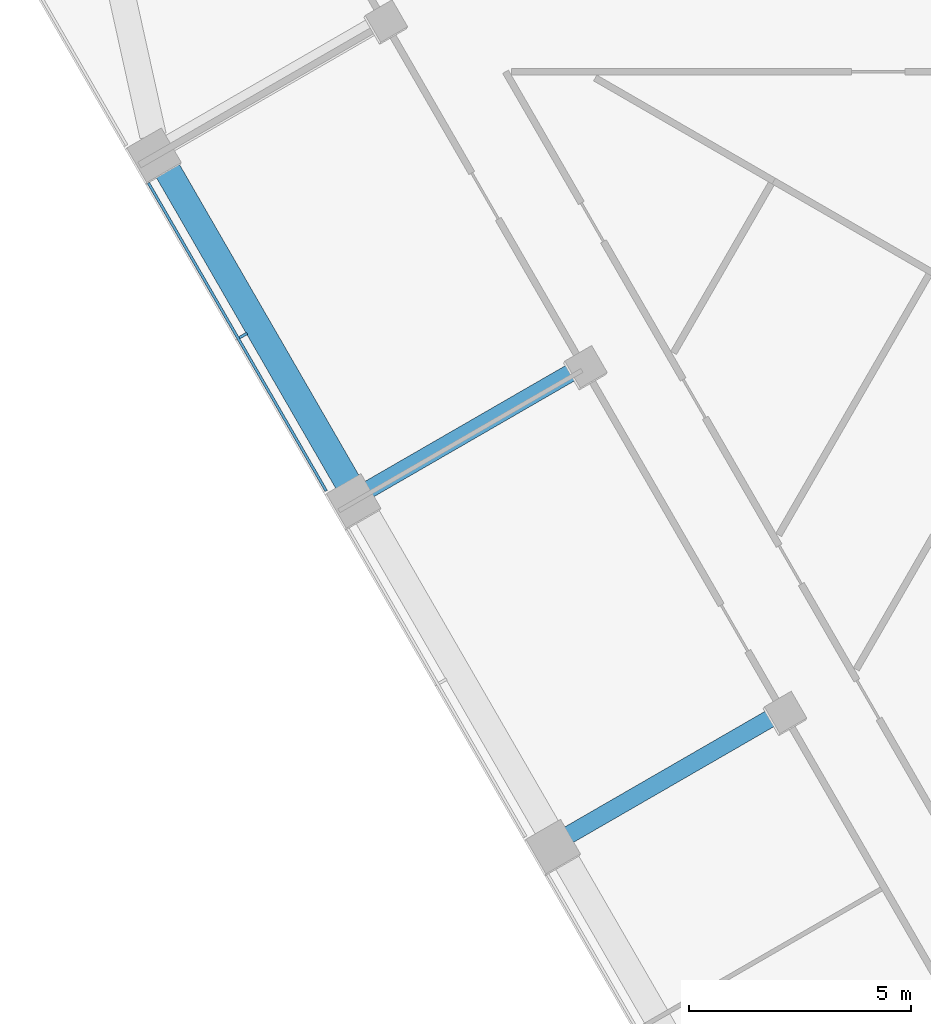
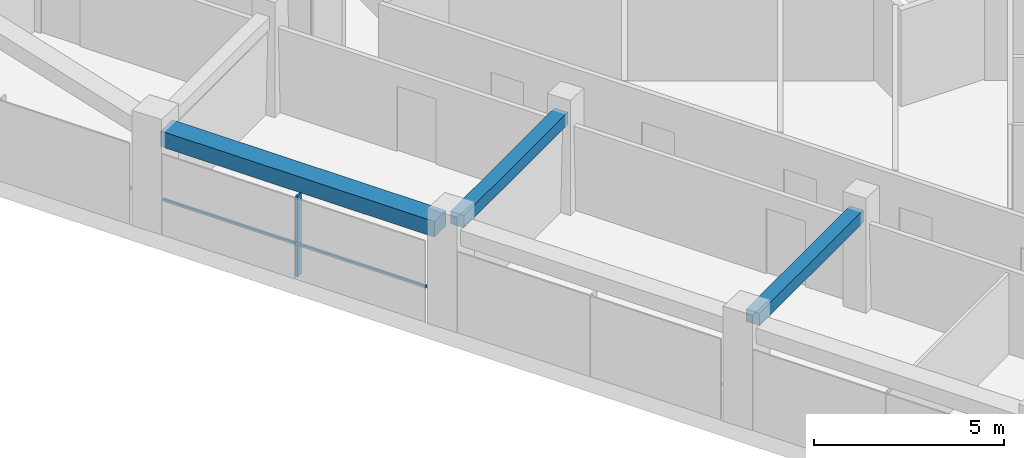
# One storey, part 3 of 14: 3 beams, 2 members, 1 element without a shape of its own.
"""IFC4 building model written with IfcOpenShell, lengths in metres."""

from ifc_helpers import new_model, si_unit, direction, frame, origin, origin_2d, place, context, subcontext, project, spatial, rectangle, extrude, material, layer, layer_set, material_profile, profile_set, type_object, element, aggregate, save


model = new_model("IFC4")

# Units and contexts
model_context = context("Model", 3, precision=1e-05, world=origin(), true_north=direction((0.0, 1.0)))
body_context = subcontext(model_context, "Body", "Model", "MODEL_VIEW")
ifc_project = project(units=[si_unit("LENGTHUNIT", "METRE"), si_unit("AREAUNIT", "SQUARE_METRE"), si_unit("VOLUMEUNIT", "CUBIC_METRE"), si_unit("PLANEANGLEUNIT", "RADIAN"), si_unit("MASSUNIT", "GRAM", prefix="KILO")], contexts=[model_context])

# Site, building, storey
site_placement = place(None, origin())
site = spatial("IfcSite", under=ifc_project, at=site_placement, CompositionType="ELEMENT")
building_placement = place(site_placement, origin())
building = spatial("IfcBuilding", under=site, at=building_placement, Name="Altiplano Prism Tower", CompositionType="ELEMENT")
storey_placement = place(building_placement, frame((0.0, 0.0, 111.60009765625)))
storey = spatial("IfcBuildingStorey", under=building, at=storey_placement, Name="L28", CompositionType="ELEMENT", Elevation=111.60009765625)

# Curtain wall, members
ifc_material_1 = material(Name="Aluminium and glass", Category="aluminium")
ifc_layer = layer(ifc_material_1, 0.303955078125)
ifc_layer_set = layer_set([ifc_layer], Name="Aluminium and glass")
curtain_wall_type = type_object("IfcCurtainWallType", Name="CW2 lounge-band unitised glazing", PredefinedType="NOTDEFINED", material=ifc_layer_set)
curtain_wall_placement = place(storey_placement, origin())
curtain_wall = element("IfcCurtainWall", 1, at=curtain_wall_placement, inside=storey, type_object=curtain_wall_type, Name="CW2 curtain wall south-west face L28", PredefinedType="NOTDEFINED")
ifc_material_2 = material(Name="Aluminium", Category="aluminium")
ifc_material_profile_1 = material_profile(ifc_material_2, rectangle(XDim=0.199951171875, YDim=0.06005859375, at=origin_2d()), Name="CW2 mullion 60 x 200")
ifc_profile_set_1 = profile_set([ifc_material_profile_1], Name="Aluminium")
member_type_1 = type_object("IfcMemberType", Name="CW2 mullion 60 x 200", PredefinedType="MULLION", material=ifc_profile_set_1)
member_1_placement = place(storey_placement, frame((64.369873046875, 84.652099609375, 0.0), z_axis=(0.0, 0.0, 1.0), x_axis=(0.866025408698, 0.49999999149, 0.0)))
member_1 = element("IfcMember", 2, at=member_1_placement, type_object=member_type_1, Name="CW2 mullion", PredefinedType="MULLION", context=body_context, shape_type="SweptSolid", body=[
    extrude(rectangle(XDim=0.199951171875, YDim=0.06005859375, at=origin_2d()), origin(), (0.0, 0.0, 1.0), 2.599853515625),
])
ifc_material_profile_2 = material_profile(ifc_material_2, rectangle(XDim=0.06005859375, YDim=0.080078125, at=origin_2d()), Name="CW2 transom 80 x 60")
ifc_profile_set_2 = profile_set([ifc_material_profile_2], Name="Aluminium")
member_type_2 = type_object("IfcMemberType", Name="CW2 transom 80 x 60", PredefinedType="USERDEFINED", material=ifc_profile_set_2)
member_2_placement = place(storey_placement, frame((62.232666015625, 88.09375, 1.099853515625), z_axis=(0.500012318566, -0.86601829154, 0.0), x_axis=(0.86601829154, 0.500012318566, 0.0)))
member_2 = element("IfcMember", 3, at=member_2_placement, type_object=member_type_2, Name="CW2 transom", ObjectType="TRANSOM", PredefinedType="USERDEFINED", context=body_context, shape_type="SweptSolid", body=[
    extrude(rectangle(XDim=0.06005859375, YDim=0.080078125, at=origin_2d()), origin(), (0.0, 0.0, 1.0), 8.019775390625),
])
aggregate(curtain_wall, [member_1, member_2])

# Beams
ifc_material_3 = material(Name="Concrete C60/75", Category="concrete")
ifc_material_profile_3 = material_profile(ifc_material_3, rectangle(XDim=0.60009765625, YDim=0.5, at=origin_2d()), Name="Edge beam 600x500")
ifc_profile_set_3 = profile_set([ifc_material_profile_3], Name="Concrete C60/75")
beam_type_1 = type_object("IfcBeamType", Name="Edge beam 600x500", PredefinedType="SPANDREL", material=ifc_profile_set_3)
beam_placement = place(storey_placement, frame((62.577880859375, 88.52490234375, 2.849853515625), z_axis=(0.499992746786, -0.866029591389, 0.0), x_axis=(0.866029591389, 0.499992746786, 0.0)))
element("IfcBeam", 4, at=beam_placement, inside=storey, type_object=beam_type_1, Name="Edge beam P11-P12 L29", PredefinedType="SPANDREL", context=body_context, shape_type="SweptSolid", body=[
    extrude(rectangle(XDim=0.60009765625, YDim=0.5, at=origin_2d()), origin(), (0.0, 0.0, 1.0), 8.33984375),
])
ifc_material_profile_4 = material_profile(ifc_material_3, rectangle(XDim=0.39990234375, YDim=0.39990234375, at=origin_2d()), Name="Tie beam 400x400")
ifc_profile_set_4 = profile_set([ifc_material_profile_4], Name="Concrete C60/75")
beam_type_2 = type_object("IfcBeamType", Name="Tie beam 400x400", PredefinedType="BEAM", material=ifc_profile_set_4)
for number, where, z_axis, x_axis, name in (
    (5, (71.953125, 83.926513671875, 2.89990234375), (-0.866012292785, -0.50002270823, 0.0), (0.50002270823, -0.866012292785, 0.0), "Tie beam I12 L29"),
    (6, (76.453125, 76.13232421875, 2.89990234375), (-0.866012292785, -0.50002270823, 0.0), (0.50002270823, -0.866012292785, 0.0), "Tie beam I13 L29"),
):
    element("IfcBeam", number, at=place(storey_placement, frame(where, z_axis=z_axis, x_axis=x_axis)), inside=storey, type_object=beam_type_2, Name=name, PredefinedType="BEAM", context=body_context, shape_type="SweptSolid", body=[
        extrude(rectangle(XDim=0.39990234375, YDim=0.39990234375, at=origin_2d()), origin(), (0.0, 0.0, 1.0), 5.489990234375),
    ])

save(model, "model.ifc")
